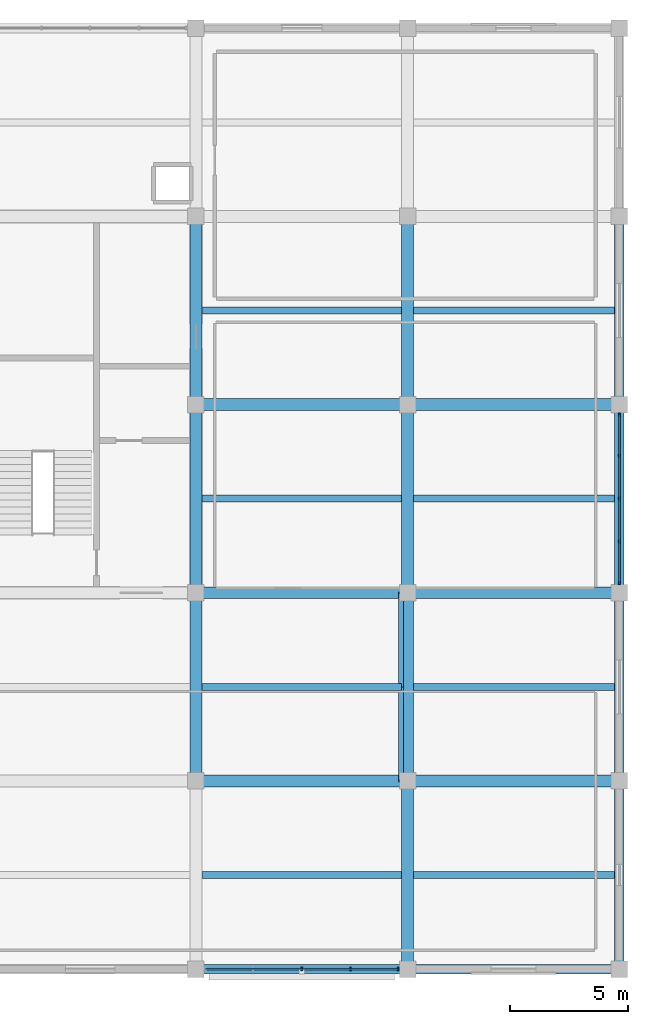
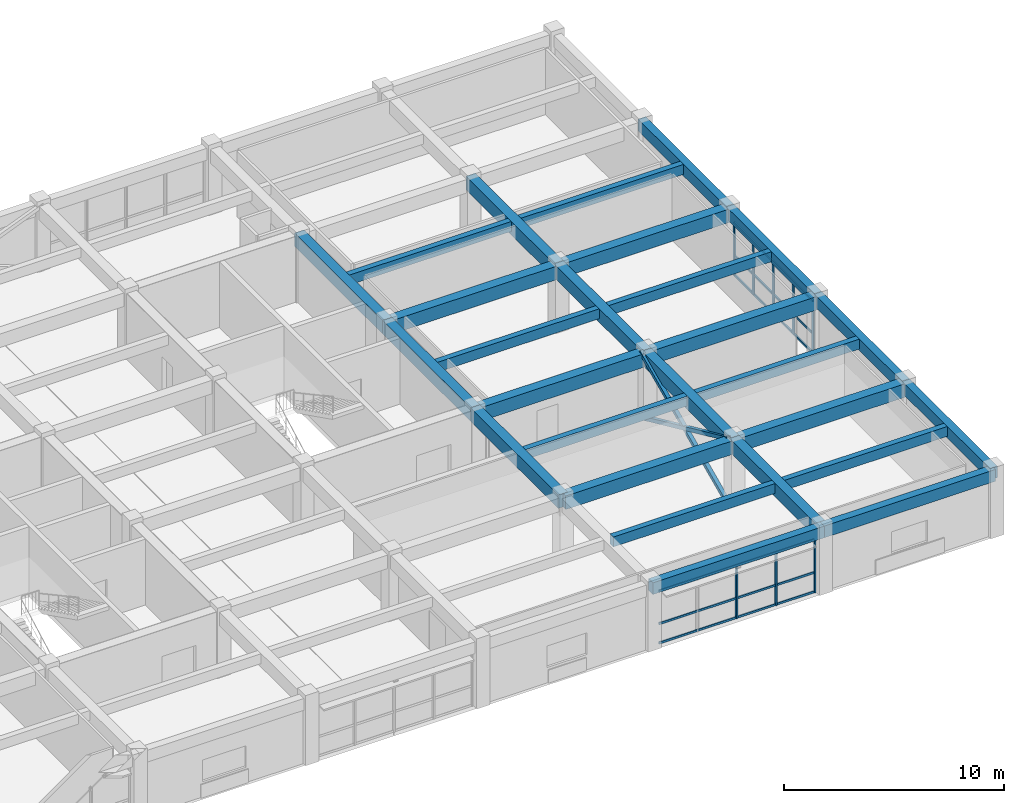
# One storey, part 6 of 13: 27 beams, 16 members, 2 elements without a shape of their own.
"""IFC4 building model written with IfcOpenShell, lengths in metres."""

from ifc_helpers import new_model, si_unit, direction, frame, origin, origin_2d, place, context, subcontext, project, spatial, rectangle, hollow_rectangle, extrude, material, material_profile, profile_set, type_object, element, aggregate, save


model = new_model("IFC4")

# Units and contexts
model_context = context("Model", 3, precision=1e-05, world=origin(), true_north=direction((0.0, 1.0)))
body_context = subcontext(model_context, "Body", "Model", "MODEL_VIEW")
ifc_project = project(units=[si_unit("LENGTHUNIT", "METRE"), si_unit("AREAUNIT", "SQUARE_METRE"), si_unit("VOLUMEUNIT", "CUBIC_METRE"), si_unit("PLANEANGLEUNIT", "RADIAN"), si_unit("MASSUNIT", "GRAM", prefix="KILO")], contexts=[model_context])

# Site, building, storey
site_placement = place(None, origin())
site = spatial("IfcSite", under=ifc_project, at=site_placement, CompositionType="ELEMENT")
building_placement = place(site_placement, origin())
building = spatial("IfcBuilding", under=site, at=building_placement, Name="Zaverband Oceanarium and Marine Research Institute", CompositionType="ELEMENT")
storey_placement = place(building_placement, frame((0.0, 0.0, 60.89990234375)))
storey = spatial("IfcBuildingStorey", under=building, at=storey_placement, Name="L15", CompositionType="ELEMENT", Elevation=60.89990234375)

# Beams
ifc_material_1 = material(Name="Concrete C40/50", Category="concrete")
ifc_material_profile_1 = material_profile(ifc_material_1, rectangle(XDim=0.5, YDim=0.75, at=origin_2d()), Name="RC500x750")
ifc_profile_set_1 = profile_set([ifc_material_profile_1], Name="Concrete C40/50")
beam_type_1 = type_object("IfcBeamType", Name="BM-500x750", PredefinedType="BEAM", material=ifc_profile_set_1)
for number, where, z_axis, x_axis, name in (
    (1, (45.0, 80.0, 3.275146484375), (1.0, 0.0, 0.0), (0.0, 1.0, 0.0), "Primary floor girder BM-500x750"),
    (2, (54.0, 80.0, 3.275146484375), (1.0, 0.0, 0.0), (0.0, 1.0, 0.0), "Primary floor girder BM-500x750"),
    (3, (45.0, 88.0, 3.275146484375), (1.0, 0.0, 0.0), (0.0, 1.0, 0.0), "Primary floor girder BM-500x750"),
    (4, (54.0, 88.0, 3.275146484375), (1.0, 0.0, 0.0), (0.0, 1.0, 0.0), "Primary floor girder BM-500x750"),
    (5, (45.0, 96.0, 3.275146484375), (1.0, 0.0, 0.0), (0.0, 1.0, 0.0), "Primary floor girder BM-500x750"),
    (6, (54.0, 96.0, 3.275146484375), (1.0, 0.0, 0.0), (0.0, 1.0, 0.0), "Primary floor girder BM-500x750"),
):
    element("IfcBeam", number, at=place(storey_placement, frame(where, z_axis=z_axis, x_axis=x_axis)), inside=storey, type_object=beam_type_1, Name=name, PredefinedType="BEAM", context=body_context, shape_type="SweptSolid", body=[
        extrude(rectangle(XDim=0.5, YDim=0.75, at=origin_2d()), origin(), (0.0, 0.0, 1.0), 9.0),
    ])
for number, where, z_axis, x_axis, name in (
    (7, (45.0, 80.0, 3.275146484375), (0.0, 1.0, 0.0), (-1.0, 0.0, 0.0), "Primary floor girder BM-500x750"),
    (8, (45.0, 88.0, 3.275146484375), (0.0, 1.0, 0.0), (-1.0, 0.0, 0.0), "Primary floor girder BM-500x750"),
    (9, (45.0, 96.0, 3.275146484375), (0.0, 1.0, 0.0), (-1.0, 0.0, 0.0), "Primary floor girder BM-500x750"),
    (10, (54.0, 72.0, 3.275146484375), (0.0, 1.0, 0.0), (-1.0, 0.0, 0.0), "Primary floor girder BM-500x750"),
    (11, (54.0, 80.0, 3.275146484375), (0.0, 1.0, 0.0), (-1.0, 0.0, 0.0), "Primary floor girder BM-500x750"),
    (12, (54.0, 88.0, 3.275146484375), (0.0, 1.0, 0.0), (-1.0, 0.0, 0.0), "Primary floor girder BM-500x750"),
    (13, (54.0, 96.0, 3.275146484375), (0.0, 1.0, 0.0), (-1.0, 0.0, 0.0), "Primary floor girder BM-500x750"),
):
    element("IfcBeam", number, at=place(storey_placement, frame(where, z_axis=z_axis, x_axis=x_axis)), inside=storey, type_object=beam_type_1, Name=name, PredefinedType="BEAM", context=body_context, shape_type="SweptSolid", body=[
        extrude(rectangle(XDim=0.5, YDim=0.75, at=origin_2d()), origin(), (0.0, 0.0, 1.0), 8.0),
    ])

# Members
ifc_material_2 = material(Name="Steel S355", Category="steel")
ifc_material_profile_2 = material_profile(ifc_material_2, hollow_rectangle(XDim=0.199951171875, YDim=0.199951171875, WallThickness=0.010009765625, at=origin_2d()), Name="SHS200x200x10")
ifc_profile_set_2 = profile_set([ifc_material_profile_2], Name="Steel S355")
member_type_1 = type_object("IfcMemberType", Name="BR-03", PredefinedType="BRACE", material=ifc_profile_set_2)
for number, where, z_axis, x_axis, name in (
    (14, (53.719970703125, 80.0, 0.0), (0.0, 0.90977508744, 0.415101542124), (-1.0, 0.0, 0.0), "Diagonal lateral brace BR-03"),
    (15, (53.719970703125, 88.0, 0.0), (0.0, -0.90977508744, 0.415101542124), (1.0, 0.0, 0.0), "Diagonal lateral brace BR-03"),
):
    element("IfcMember", number, at=place(storey_placement, frame(where, z_axis=z_axis, x_axis=x_axis)), inside=storey, type_object=member_type_1, Name=name, PredefinedType="BRACE", context=body_context, shape_type="SweptSolid", body=[
        extrude(hollow_rectangle(XDim=0.199951171875, YDim=0.199951171875, WallThickness=0.010009765625, at=origin_2d()), origin(), (0.0, 0.0, 1.0), 8.79345703125),
    ])

# Beams
ifc_material_profile_3 = material_profile(ifc_material_1, rectangle(XDim=0.300048828125, YDim=0.550048828125, at=origin_2d()), Name="RC300x550")
ifc_profile_set_3 = profile_set([ifc_material_profile_3], Name="Concrete C40/50")
beam_type_2 = type_object("IfcBeamType", Name="JST-300x550", PredefinedType="JOIST", material=ifc_profile_set_3)
for number, where, z_axis, x_axis, name in (
    (16, (45.25, 76.0, 3.375), (1.0, 0.0, 0.0), (0.0, 1.0, 0.0), "Secondary floor joist JST-300x550"),
    (17, (45.25, 84.0, 3.375), (1.0, 0.0, 0.0), (0.0, 1.0, 0.0), "Secondary floor joist JST-300x550"),
    (18, (45.25, 92.0, 3.375), (1.0, 0.0, 0.0), (0.0, 1.0, 0.0), "Secondary floor joist JST-300x550"),
    (19, (45.25, 100.0, 3.375), (1.0, 0.0, 0.0), (0.0, 1.0, 0.0), "Secondary floor joist JST-300x550"),
):
    element("IfcBeam", number, at=place(storey_placement, frame(where, z_axis=z_axis, x_axis=x_axis)), inside=storey, type_object=beam_type_2, Name=name, PredefinedType="JOIST", context=body_context, shape_type="SweptSolid", body=[
        extrude(rectangle(XDim=0.300048828125, YDim=0.550048828125, at=origin_2d()), origin(), (0.0, 0.0, 1.0), 8.5),
    ])
for number, where, z_axis, x_axis, name in (
    (20, (54.25, 76.0, 3.375), (1.0, 0.0, 0.0), (0.0, 1.0, 0.0), "Secondary floor joist JST-300x550"),
    (21, (54.25, 84.0, 3.375), (1.0, 0.0, 0.0), (0.0, 1.0, 0.0), "Secondary floor joist JST-300x550"),
    (22, (54.25, 92.0, 3.375), (1.0, 0.0, 0.0), (0.0, 1.0, 0.0), "Secondary floor joist JST-300x550"),
    (23, (54.25, 100.0, 3.375), (1.0, 0.0, 0.0), (0.0, 1.0, 0.0), "Secondary floor joist JST-300x550"),
):
    element("IfcBeam", number, at=place(storey_placement, frame(where, z_axis=z_axis, x_axis=x_axis)), inside=storey, type_object=beam_type_2, Name=name, PredefinedType="JOIST", context=body_context, shape_type="SweptSolid", body=[
        extrude(rectangle(XDim=0.300048828125, YDim=0.550048828125, at=origin_2d()), origin(), (0.0, 0.0, 1.0), 8.550048828125),
    ])

# Curtain wall, members
ifc_material_3 = material(Name="Thermally broken anodized aluminium and solar-control glass", Category="aluminium")
curtain_wall_type = type_object("IfcCurtainWallType", Name="CW-UNIT-1800", PredefinedType="NOTDEFINED", material=ifc_material_3)
curtain_wall_1_placement = place(storey_placement, origin())
curtain_wall_1 = element("IfcCurtainWall", 24, at=curtain_wall_1_placement, inside=storey, type_object=curtain_wall_type, Name="Unitised glazed curtain wall CW-158", PredefinedType="NOTDEFINED")
ifc_material_4 = material(Name="Thermally broken anodized aluminium", Category="aluminium")
ifc_material_profile_4 = material_profile(ifc_material_4, rectangle(XDim=0.070068359375, YDim=0.14990234375, at=origin_2d()), Name="AL-MUL-70x150")
ifc_profile_set_4 = profile_set([ifc_material_profile_4], Name="Thermally broken anodized aluminium")
member_type_2 = type_object("IfcMemberType", Name="MUL-70x150", PredefinedType="MULLION", material=ifc_profile_set_4)
member_1_placement = place(storey_placement, frame((49.5, 72.0, 0.0), z_axis=(0.0, 0.0, 1.0), x_axis=(1.0, 0.0, 0.0)))
member_1 = element("IfcMember", 25, at=member_1_placement, type_object=member_type_2, Name="Curtain wall vertical mullion MUL-70x150", PredefinedType="MULLION", context=body_context, shape_type="SweptSolid", body=[
    extrude(rectangle(XDim=0.070068359375, YDim=0.14990234375, at=origin_2d()), origin(), (0.0, 0.0, 1.0), 2.97998046875),
])
member_2_placement = place(storey_placement, frame((51.572509765625, 72.0, 0.0), z_axis=(0.0, 0.0, 1.0), x_axis=(1.0, 0.0, 0.0)))
member_2 = element("IfcMember", 26, at=member_2_placement, type_object=member_type_2, Name="Curtain wall vertical mullion MUL-70x150", PredefinedType="MULLION", context=body_context, shape_type="SweptSolid", body=[
    extrude(rectangle(XDim=0.070068359375, YDim=0.14990234375, at=origin_2d()), origin(), (0.0, 0.0, 1.0), 2.97998046875),
])
member_3_placement = place(storey_placement, frame((53.5849609375, 72.0, 0.0), z_axis=(0.0, 0.0, 1.0), x_axis=(1.0, 0.0, 0.0)))
member_3 = element("IfcMember", 27, at=member_3_placement, type_object=member_type_2, Name="Curtain wall vertical mullion MUL-70x150", PredefinedType="MULLION", context=body_context, shape_type="SweptSolid", body=[
    extrude(rectangle(XDim=0.070068359375, YDim=0.14990234375, at=origin_2d()), origin(), (0.0, 0.0, 1.0), 2.97998046875),
])

curtain_wall_2_placement = place(storey_placement, origin())
curtain_wall_2 = element("IfcCurtainWall", 28, at=curtain_wall_2_placement, inside=storey, type_object=curtain_wall_type, Name="Unitised glazed curtain wall CW-164", PredefinedType="NOTDEFINED")
member_4_placement = place(storey_placement, frame((63.0, 88.4150390625, 0.0), z_axis=(0.0, 0.0, 1.0), x_axis=(1.0, 0.0, 0.0)))
member_4 = element("IfcMember", 29, at=member_4_placement, type_object=member_type_2, Name="Curtain wall vertical mullion MUL-70x150", PredefinedType="MULLION", context=body_context, shape_type="SweptSolid", body=[
    extrude(rectangle(XDim=0.070068359375, YDim=0.14990234375, at=origin_2d()), origin(), (0.0, 0.0, 1.0), 2.97998046875),
])
member_5_placement = place(storey_placement, frame((63.0, 90.177490234375, 0.0), z_axis=(0.0, 0.0, 1.0), x_axis=(1.0, 0.0, 0.0)))
member_5 = element("IfcMember", 30, at=member_5_placement, type_object=member_type_2, Name="Curtain wall vertical mullion MUL-70x150", PredefinedType="MULLION", context=body_context, shape_type="SweptSolid", body=[
    extrude(rectangle(XDim=0.070068359375, YDim=0.14990234375, at=origin_2d()), origin(), (0.0, 0.0, 1.0), 2.97998046875),
])
member_6_placement = place(storey_placement, frame((63.0, 92.0, 0.0), z_axis=(0.0, 0.0, 1.0), x_axis=(1.0, 0.0, 0.0)))
member_6 = element("IfcMember", 31, at=member_6_placement, type_object=member_type_2, Name="Curtain wall vertical mullion MUL-70x150", PredefinedType="MULLION", context=body_context, shape_type="SweptSolid", body=[
    extrude(rectangle(XDim=0.070068359375, YDim=0.14990234375, at=origin_2d()), origin(), (0.0, 0.0, 1.0), 2.97998046875),
])
member_7_placement = place(storey_placement, frame((63.0, 93.822509765625, 0.0), z_axis=(0.0, 0.0, 1.0), x_axis=(1.0, 0.0, 0.0)))
member_7 = element("IfcMember", 32, at=member_7_placement, type_object=member_type_2, Name="Curtain wall vertical mullion MUL-70x150", PredefinedType="MULLION", context=body_context, shape_type="SweptSolid", body=[
    extrude(rectangle(XDim=0.070068359375, YDim=0.14990234375, at=origin_2d()), origin(), (0.0, 0.0, 1.0), 2.97998046875),
])
member_8_placement = place(storey_placement, frame((63.0, 95.5849609375, 0.0), z_axis=(0.0, 0.0, 1.0), x_axis=(1.0, 0.0, 0.0)))
member_8 = element("IfcMember", 33, at=member_8_placement, type_object=member_type_2, Name="Curtain wall vertical mullion MUL-70x150", PredefinedType="MULLION", context=body_context, shape_type="SweptSolid", body=[
    extrude(rectangle(XDim=0.070068359375, YDim=0.14990234375, at=origin_2d()), origin(), (0.0, 0.0, 1.0), 2.97998046875),
])

# Beams
ifc_material_profile_5 = material_profile(ifc_material_1, rectangle(XDim=0.39990234375, YDim=0.64990234375, at=origin_2d()), Name="RC400x650")
ifc_profile_set_5 = profile_set([ifc_material_profile_5], Name="Concrete C40/50")
beam_type_3 = type_object("IfcBeamType", Name="SPN-400x650", PredefinedType="SPANDREL", material=ifc_profile_set_5)
for number, where, z_axis, x_axis, name in (
    (34, (45.0, 72.0, 3.3251953125), (1.0, 0.0, 0.0), (0.0, 1.0, 0.0), "Perimeter spandrel beam SPN-400x650"),
    (35, (54.0, 72.0, 3.3251953125), (1.0, 0.0, 0.0), (0.0, 1.0, 0.0), "Perimeter spandrel beam SPN-400x650"),
):
    element("IfcBeam", number, at=place(storey_placement, frame(where, z_axis=z_axis, x_axis=x_axis)), inside=storey, type_object=beam_type_3, Name=name, PredefinedType="SPANDREL", context=body_context, shape_type="SweptSolid", body=[
        extrude(rectangle(XDim=0.39990234375, YDim=0.64990234375, at=origin_2d()), origin(), (0.0, 0.0, 1.0), 9.0),
    ])
for number, where, z_axis, x_axis, name in (
    (36, (63.0, 72.0, 3.3251953125), (0.0, 1.0, 0.0), (-1.0, 0.0, 0.0), "Perimeter spandrel beam SPN-400x650"),
    (37, (63.0, 80.0, 3.3251953125), (0.0, 1.0, 0.0), (-1.0, 0.0, 0.0), "Perimeter spandrel beam SPN-400x650"),
    (38, (63.0, 88.0, 3.3251953125), (0.0, 1.0, 0.0), (-1.0, 0.0, 0.0), "Perimeter spandrel beam SPN-400x650"),
    (39, (63.0, 96.0, 3.3251953125), (0.0, 1.0, 0.0), (-1.0, 0.0, 0.0), "Perimeter spandrel beam SPN-400x650"),
):
    element("IfcBeam", number, at=place(storey_placement, frame(where, z_axis=z_axis, x_axis=x_axis)), inside=storey, type_object=beam_type_3, Name=name, PredefinedType="SPANDREL", context=body_context, shape_type="SweptSolid", body=[
        extrude(rectangle(XDim=0.39990234375, YDim=0.64990234375, at=origin_2d()), origin(), (0.0, 0.0, 1.0), 8.0),
    ])

# Member
ifc_material_profile_6 = material_profile(ifc_material_4, rectangle(XDim=0.070068359375, YDim=0.114990234375, at=origin_2d()), Name="AL-TRN-70x115")
ifc_profile_set_6 = profile_set([ifc_material_profile_6], Name="Thermally broken anodized aluminium")
member_type_3 = type_object("IfcMemberType", Name="TRN-70x115", PredefinedType="USERDEFINED", material=ifc_profile_set_6)
member_9_placement = place(storey_placement, frame((45.4150390625, 72.0, 0.050048828125), z_axis=(1.0, 0.0, 0.0), x_axis=(0.0, 1.0, 0.0)))
member_9 = element("IfcMember", 40, at=member_9_placement, type_object=member_type_3, Name="Curtain wall horizontal transom TRN-70x115", ObjectType="TRANSOM", PredefinedType="USERDEFINED", context=body_context, shape_type="SweptSolid", body=[
    extrude(rectangle(XDim=0.070068359375, YDim=0.114990234375, at=origin_2d()), origin(), (0.0, 0.0, 1.0), 8.169921875),
])

member_10_placement = place(storey_placement, frame((45.4150390625, 72.0, 1.123046875), z_axis=(1.0, 0.0, 0.0), x_axis=(0.0, 1.0, 0.0)))
member_10 = element("IfcMember", 41, at=member_10_placement, type_object=member_type_3, Name="Curtain wall horizontal transom TRN-70x115", ObjectType="TRANSOM", PredefinedType="USERDEFINED", context=body_context, shape_type="SweptSolid", body=[
    extrude(rectangle(XDim=0.070068359375, YDim=0.114990234375, at=origin_2d()), origin(), (0.0, 0.0, 1.0), 8.169921875),
])

member_11_placement = place(storey_placement, frame((45.4150390625, 72.0, 2.93017578125), z_axis=(1.0, 0.0, 0.0), x_axis=(0.0, 1.0, 0.0)))
member_11 = element("IfcMember", 42, at=member_11_placement, type_object=member_type_3, Name="Curtain wall horizontal transom TRN-70x115", ObjectType="TRANSOM", PredefinedType="USERDEFINED", context=body_context, shape_type="SweptSolid", body=[
    extrude(rectangle(XDim=0.070068359375, YDim=0.114990234375, at=origin_2d()), origin(), (0.0, 0.0, 1.0), 8.169921875),
])

aggregate(curtain_wall_1, [member_1, member_2, member_3, member_9, member_10, member_11])

member_12_placement = place(storey_placement, frame((63.0, 88.4150390625, 0.050048828125), z_axis=(0.0, 1.0, 0.0), x_axis=(-1.0, 0.0, 0.0)))
member_12 = element("IfcMember", 43, at=member_12_placement, type_object=member_type_3, Name="Curtain wall horizontal transom TRN-70x115", ObjectType="TRANSOM", PredefinedType="USERDEFINED", context=body_context, shape_type="SweptSolid", body=[
    extrude(rectangle(XDim=0.070068359375, YDim=0.114990234375, at=origin_2d()), origin(), (0.0, 0.0, 1.0), 7.169921875),
])

member_13_placement = place(storey_placement, frame((63.0, 88.4150390625, 1.123046875), z_axis=(0.0, 1.0, 0.0), x_axis=(-1.0, 0.0, 0.0)))
member_13 = element("IfcMember", 44, at=member_13_placement, type_object=member_type_3, Name="Curtain wall horizontal transom TRN-70x115", ObjectType="TRANSOM", PredefinedType="USERDEFINED", context=body_context, shape_type="SweptSolid", body=[
    extrude(rectangle(XDim=0.070068359375, YDim=0.114990234375, at=origin_2d()), origin(), (0.0, 0.0, 1.0), 7.169921875),
])

member_14_placement = place(storey_placement, frame((63.0, 88.4150390625, 2.93017578125), z_axis=(0.0, 1.0, 0.0), x_axis=(-1.0, 0.0, 0.0)))
member_14 = element("IfcMember", 45, at=member_14_placement, type_object=member_type_3, Name="Curtain wall horizontal transom TRN-70x115", ObjectType="TRANSOM", PredefinedType="USERDEFINED", context=body_context, shape_type="SweptSolid", body=[
    extrude(rectangle(XDim=0.070068359375, YDim=0.114990234375, at=origin_2d()), origin(), (0.0, 0.0, 1.0), 7.169921875),
])

aggregate(curtain_wall_2, [member_4, member_5, member_6, member_7, member_8, member_12, member_13, member_14])

save(model, "model.ifc")
